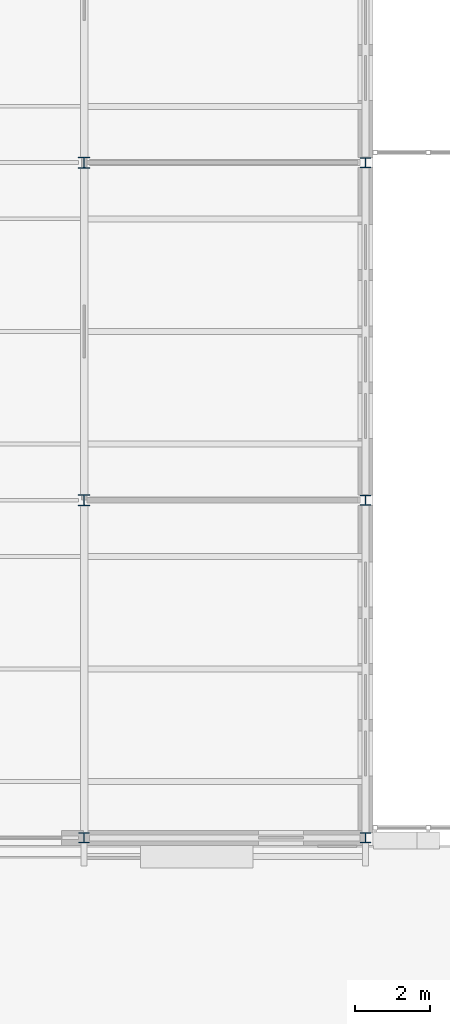
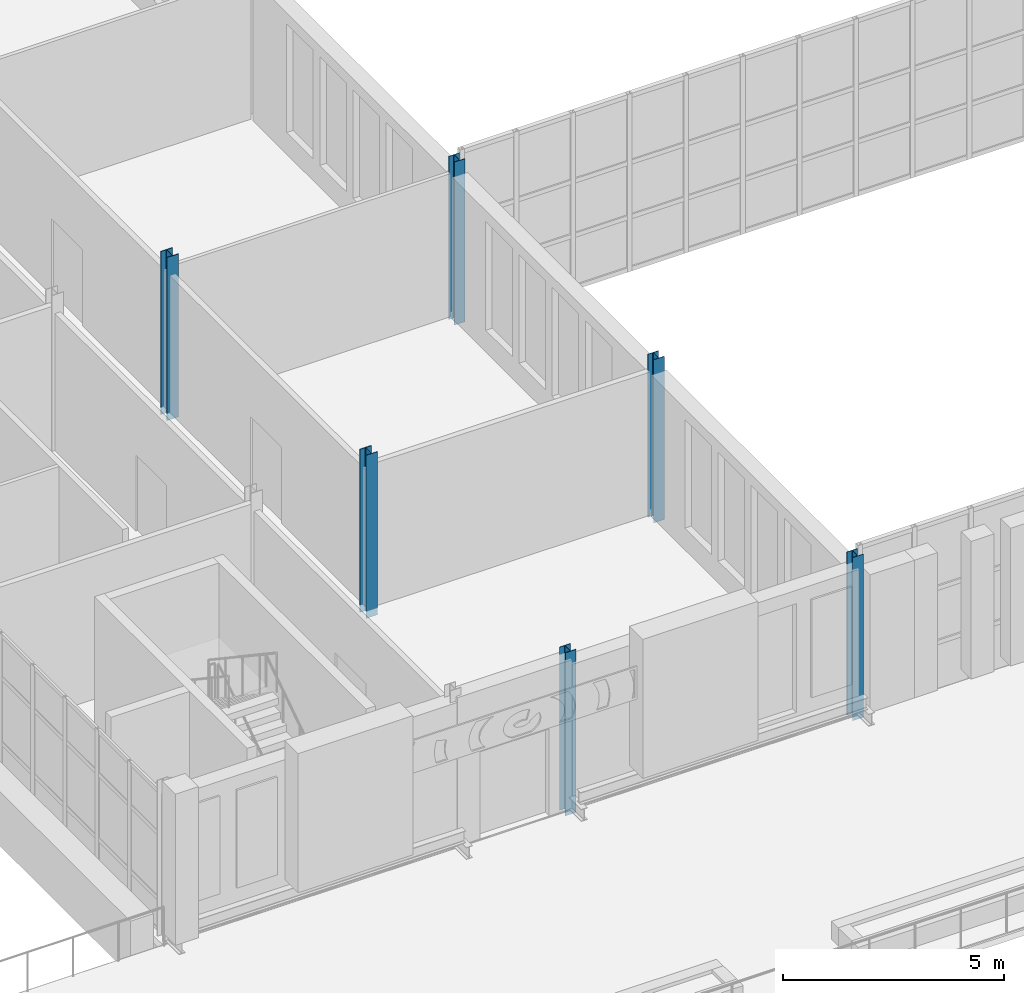
# One storey, part 5 of 134: 6 columns.
"""IFC4 building model written with IfcOpenShell, lengths in metres."""

import ifcopenshell
import ifcopenshell.guid

model = None  # the IFC model being written
_history = None  # IfcOwnerHistory: only IFC2X3 demands one
_inside = {}  # id of a spatial element -> (the spatial element, [elements in it])
_under = {}  # id of a project, library or spatial element -> (it, [spatial elements below it])
_declared = {}  # id of a project -> (the project, [libraries it declares])
_typed = {}  # id of a type object -> (the type object, [elements of that type])
_made_of = {}  # id of a material, layer set ... -> (it, [elements and type objects made of it])


def new_model(schema):
    """Start an empty IFC model of exactly this schema.

    Asked for "IFC4X3", IfcOpenShell would pick the latest addendum, in which some entities
    have other attributes; the version numbers below select the first issue.
    IFC2X3 requires an IfcOwnerHistory on every rooted entity: one is made here for all.
    """
    global model, _history
    if schema == "IFC4X3":
        model = ifcopenshell.file(schema_version=(4, 3, 0, 0))
    else:
        model = ifcopenshell.file(schema=schema)
    _inside.clear()
    _under.clear()
    _declared.clear()
    _typed.clear()
    _made_of.clear()
    _history = None
    if model.schema == "IFC2X3":
        org = make("IfcOrganization", Name="unknown")
        user = make(
            "IfcPersonAndOrganization",
            ThePerson=make("IfcPerson", FamilyName="unknown"),
            TheOrganization=org,
        )
        app = make(
            "IfcApplication",
            ApplicationDeveloper=org,
            Version="unknown",
            ApplicationFullName="unknown",
            ApplicationIdentifier="unknown",
        )
        _history = make(
            "IfcOwnerHistory",
            OwningUser=user,
            OwningApplication=app,
            ChangeAction="ADDED",
            CreationDate=0,
        )
    return model


def make(cls, **values):
    """One entity of the class cls with the attributes given. An attribute that is None is left unset."""
    return model.create_entity(
        cls, **{name: value for name, value in values.items() if value is not None}
    )


def rooted(cls, **values):
    """An entity with a GlobalId (a new one), such as an element, a storey or a relation."""
    return make(cls, GlobalId=ifcopenshell.guid.new(), OwnerHistory=_history, **values)


def si_unit(unit_type, name, prefix=None):
    """IfcSIUnit, for example si_unit("LENGTHUNIT", "METRE", prefix="MILLI")."""
    return make("IfcSIUnit", UnitType=unit_type, Prefix=prefix, Name=name)


def assignment(units):
    """IfcUnitAssignment: the units of a project."""
    return None if units is None else make("IfcUnitAssignment", Units=units)


def point(xyz):
    """IfcCartesianPoint."""
    return None if xyz is None else make("IfcCartesianPoint", Coordinates=xyz)


def direction(xyz):
    """IfcDirection."""
    return None if xyz is None else make("IfcDirection", DirectionRatios=xyz)


def frame(location, z_axis=None, x_axis=None):
    """IfcAxis2Placement3D, a coordinate frame: its origin and axes. An axis left out is left unset."""
    return make(
        "IfcAxis2Placement3D",
        Location=point(location),
        Axis=direction(z_axis),
        RefDirection=direction(x_axis),
    )


def frame_2d(location, x_axis=None):
    """IfcAxis2Placement2D, a coordinate frame in the plane: its origin and x axis."""
    return make(
        "IfcAxis2Placement2D", Location=point(location), RefDirection=direction(x_axis)
    )


def origin():
    """The frame at (0, 0, 0) with its axes left unset."""
    return frame((0.0, 0.0, 0.0))


def origin_2d():
    """The frame at (0, 0) in the plane with its x axis left unset."""
    return frame_2d((0.0, 0.0))


def place(relative_to, where):
    """IfcLocalPlacement: puts the frame where relative to a parent placement (None: the world)."""
    return make(
        "IfcLocalPlacement", PlacementRelTo=relative_to, RelativePlacement=where
    )


def context(
    kind, dimensions, precision=None, world=None, true_north=None, identifier=None
):
    """IfcGeometricRepresentationContext, for example the 3D "Model" context."""
    return make(
        "IfcGeometricRepresentationContext",
        ContextIdentifier=identifier,
        ContextType=kind,
        CoordinateSpaceDimension=dimensions,
        Precision=precision,
        WorldCoordinateSystem=world,
        TrueNorth=true_north,
    )


def subcontext(parent, identifier, kind, view, scale=None):
    """IfcGeometricRepresentationSubContext, for example "Body" below "Model"."""
    return make(
        "IfcGeometricRepresentationSubContext",
        ContextIdentifier=identifier,
        ContextType=kind,
        ParentContext=parent,
        TargetScale=scale,
        TargetView=view,
    )


def project(units=None, contexts=None):
    """IfcProject with its units and contexts."""
    return rooted(
        "IfcProject",
        Name="project",
        RepresentationContexts=contexts,
        UnitsInContext=assignment(units),
    )


def spatial(cls, under=None, at=None, **own):
    """A site, building, storey or space (cls), placed at a placement, below another one or the project."""
    s = rooted(cls, ObjectPlacement=at, **own)
    if under is not None:
        _under.setdefault(under.id(), (under, []))[1].append(s)
    return s


def profile(cls, at=None, kind="AREA", **sizes):
    """A parametric profile (cls). Its sizes go by their IFC names, for example OverallWidth=200.0."""
    return make(cls, ProfileType=kind, Position=at, **sizes)


def i_section(**sizes):
    """IfcIShapeProfileDef."""
    return profile("IfcIShapeProfileDef", **sizes)


def extrude(swept, where, along, depth):
    """IfcExtrudedAreaSolid: the profile swept, set in the frame where, extruded along a direction by depth."""
    return make(
        "IfcExtrudedAreaSolid",
        SweptArea=swept,
        Position=where,
        ExtrudedDirection=direction(along),
        Depth=depth,
    )


def shape(context_of_items, identifier, shape_type, items):
    """IfcShapeRepresentation: the items that make up one representation, for example the "Body"."""
    return make(
        "IfcShapeRepresentation",
        ContextOfItems=context_of_items,
        RepresentationIdentifier=identifier,
        RepresentationType=shape_type,
        Items=items,
    )


def material(Name=None, Category=None):
    """IfcMaterial."""
    return make("IfcMaterial", Name=Name, Category=Category)


def material_profile(
    of_material, cross_section, Name=None, Category=None, Priority=None
):
    """IfcMaterialProfile: a cross section and its material."""
    return make(
        "IfcMaterialProfile",
        Name=Name,
        Material=of_material,
        Profile=cross_section,
        Priority=Priority,
        Category=Category,
    )


def profile_set(profiles, Name=None, composite=None):
    """IfcMaterialProfileSet."""
    return make(
        "IfcMaterialProfileSet",
        Name=Name,
        MaterialProfiles=profiles,
        CompositeProfile=composite,
    )


def made_of(thing, what):
    """Note that an element or type object is made of a material, layer set ...; save() writes the relation."""
    if what is not None:
        _made_of.setdefault(what.id(), (what, []))[1].append(thing)
    return thing


def type_object(cls, material=None, **own):
    """A type object (cls), such as IfcWallType, which elements share."""
    return made_of(rooted(cls, **own), material)


def element(
    cls,
    number,
    at=None,
    inside=None,
    cuts=None,
    type_object=None,
    material=None,
    context=None,
    identifier="Body",
    shape_type=None,
    held_by="IfcProductDefinitionShape",
    body=None,
    shapes=None,
    **own,
):
    """One element of the class cls, such as IfcWall. Its Tag is "e" and its number.

    at: its placement. inside: the storey or other place that contains it. cuts: it is an
    opening in that element (IfcRelVoidsElement). A single representation is given by context,
    identifier, shape_type and body (its items); several are given by shapes. held_by: the class
    of the entity that holds the representations. save() writes the other relations.
    """
    e = rooted(cls, Tag="e%d" % number, ObjectPlacement=at, **own)
    if body is not None:
        shapes = [shape(context, identifier, shape_type, body)]
    if shapes is not None:
        e.Representation = make(held_by, Representations=shapes)
    if inside is not None:
        _inside.setdefault(inside.id(), (inside, []))[1].append(e)
    if cuts is not None:
        rooted(
            "IfcRelVoidsElement", RelatingBuildingElement=cuts, RelatedOpeningElement=e
        )
    if type_object is not None:
        _typed.setdefault(type_object.id(), (type_object, []))[1].append(e)
    return made_of(e, material)


def aggregate(whole, parts):
    """IfcRelAggregates: a whole, such as a stair, and the parts it consists of."""
    return rooted("IfcRelAggregates", RelatingObject=whole, RelatedObjects=parts)


def save(model, path):
    """Write the relations noted so far, then the file.

    IfcRelAggregates (storeys below a building ...), IfcRelContainedInSpatialStructure (elements
    in a storey), IfcRelDefinesByType, IfcRelAssociatesMaterial and IfcRelDeclares: one each for
    every whole, place, type object, material and project.
    """
    for whole, parts in _under.values():
        aggregate(whole, parts)
    for where, things in _inside.values():
        rooted(
            "IfcRelContainedInSpatialStructure",
            RelatedElements=things,
            RelatingStructure=where,
        )
    for kind, things in _typed.values():
        rooted("IfcRelDefinesByType", RelatedObjects=things, RelatingType=kind)
    for what, things in _made_of.values():
        rooted("IfcRelAssociatesMaterial", RelatedObjects=things, RelatingMaterial=what)
    for by, libraries in _declared.values():
        rooted("IfcRelDeclares", RelatingContext=by, RelatedDefinitions=libraries)
    model.write(path)


model = new_model("IFC4")

# Units and contexts
model_context = context("Model", 3, precision=1e-05, world=origin(), true_north=direction((0.0, 1.0)))
body_context = subcontext(model_context, "Body", "Model", "MODEL_VIEW")
ifc_project = project(units=[si_unit("LENGTHUNIT", "METRE"), si_unit("AREAUNIT", "SQUARE_METRE"), si_unit("VOLUMEUNIT", "CUBIC_METRE"), si_unit("PLANEANGLEUNIT", "RADIAN"), si_unit("MASSUNIT", "GRAM", prefix="KILO")], contexts=[model_context])

# Site, building, storey
site_placement = place(None, origin())
site = spatial("IfcSite", under=ifc_project, at=site_placement, CompositionType="ELEMENT")
building_placement = place(site_placement, origin())
building = spatial("IfcBuilding", under=site, at=building_placement, Name="Golden Quay Civic Hall", CompositionType="ELEMENT")
storey_placement = place(building_placement, frame((0.0, 0.0, 5.39990234375)))
storey = spatial("IfcBuildingStorey", under=building, at=storey_placement, Name="L01", CompositionType="ELEMENT", Elevation=5.39990234375)

# Columns
ifc_material_1 = material(Name="Steel S355", Category="steel")
ifc_material_profile_1 = material_profile(ifc_material_1, i_section(OverallWidth=0.280029296875, OverallDepth=0.27001953125, WebThickness=0.008056640625, FlangeThickness=0.012939453125, FilletRadius=0.02392578125, at=origin_2d()), Name="HEA 280")
ifc_profile_set_1 = profile_set([ifc_material_profile_1], Name="Steel S355")
column_type_1 = type_object("IfcColumnType", Name="Steel column HEA 280", PredefinedType="COLUMN", material=ifc_profile_set_1)
for number, where, z_axis, x_axis, name in (
    (1, (64.5, 0.0, -0.199951171875), (0.0, 0.0, 1.0), (1.0, 0.0, 0.0), "Column 64.5/0 L01"),
    (2, (72.0, 0.0, -0.199951171875), (0.0, 0.0, 1.0), (1.0, 0.0, 0.0), "Column 72/0 L01"),
    (3, (72.0, 9.0, -0.199951171875), (0.0, 0.0, 1.0), (1.0, 0.0, 0.0), "Column 72/9 L01"),
    (4, (72.0, 18.0, -0.199951171875), (0.0, 0.0, 1.0), (1.0, 0.0, 0.0), "Column 72/18 L01"),
):
    element("IfcColumn", number, at=place(storey_placement, frame(where, z_axis=z_axis, x_axis=x_axis)), inside=storey, type_object=column_type_1, Name=name, PredefinedType="COLUMN", context=body_context, shape_type="SweptSolid", body=[
        extrude(i_section(OverallWidth=0.280029296875, OverallDepth=0.27001953125, WebThickness=0.008056640625, FlangeThickness=0.012939453125, FilletRadius=0.02392578125, at=origin_2d()), origin(), (0.0, 0.0, 1.0), 4.5),
    ])
ifc_material_2 = material(Name="Steel S355", Category="steel")
ifc_material_profile_2 = material_profile(ifc_material_2, i_section(OverallWidth=0.300048828125, OverallDepth=0.2900390625, WebThickness=0.008544921875, FlangeThickness=0.013916015625, FilletRadius=0.027099609375, at=origin_2d()), Name="HEA 300")
ifc_profile_set_2 = profile_set([ifc_material_profile_2], Name="Steel S355")
column_type_2 = type_object("IfcColumnType", Name="Steel column HEA 300", PredefinedType="COLUMN", material=ifc_profile_set_2)
for number, where, z_axis, x_axis, name in (
    (5, (64.5, 9.0, -0.199951171875), (0.0, 0.0, 1.0), (1.0, 0.0, 0.0), "Column 64.5/9 L01"),
    (6, (64.5, 18.0, -0.199951171875), (0.0, 0.0, 1.0), (1.0, 0.0, 0.0), "Column 64.5/18 L01"),
):
    element("IfcColumn", number, at=place(storey_placement, frame(where, z_axis=z_axis, x_axis=x_axis)), inside=storey, type_object=column_type_2, Name=name, PredefinedType="COLUMN", context=body_context, shape_type="SweptSolid", body=[
        extrude(i_section(OverallWidth=0.300048828125, OverallDepth=0.2900390625, WebThickness=0.008544921875, FlangeThickness=0.013916015625, FilletRadius=0.027099609375, at=origin_2d()), origin(), (0.0, 0.0, 1.0), 4.5),
    ])

save(model, "model.ifc")
